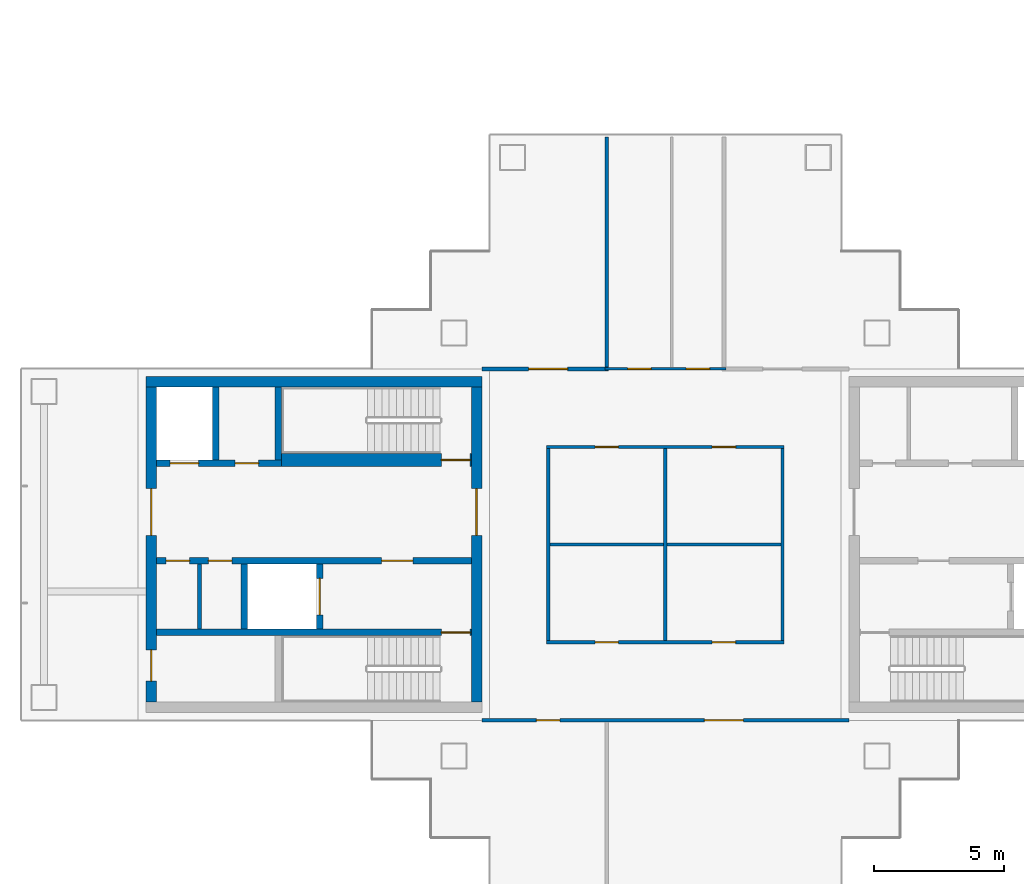
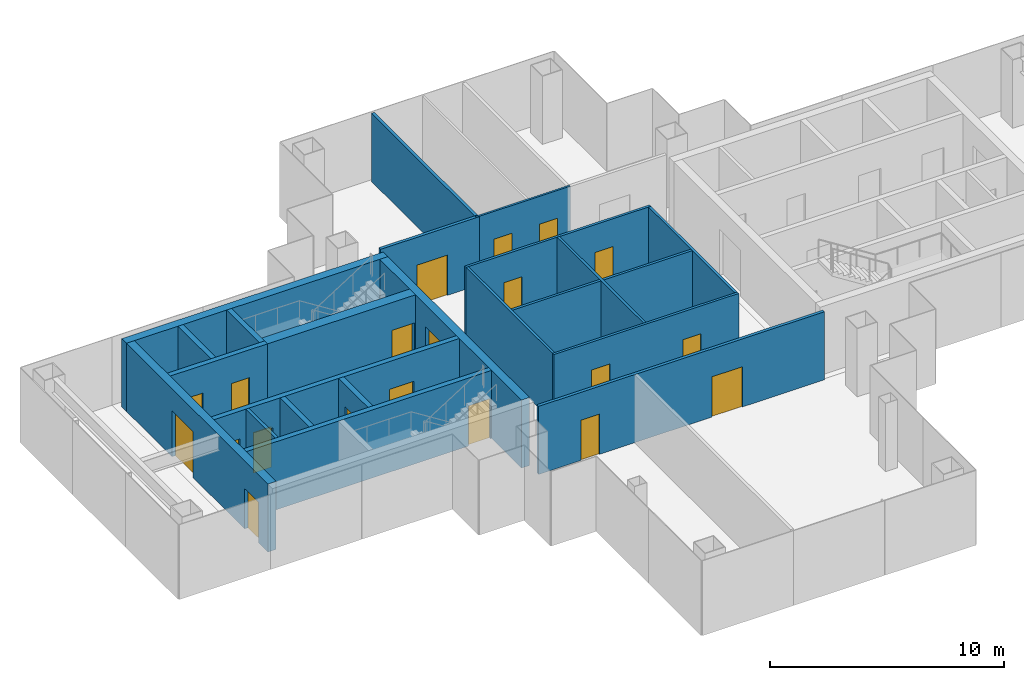
# One storey, part 9 of 16: 22 walls, 20 doors, 20 openings.
"""IFC4 building model written with IfcOpenShell, lengths in metres."""

from ifc_helpers import new_model, si_unit, direction, frame, frame_2d, origin, place, context, subcontext, project, spatial, rectangle, extrude, material, layer, layer_set, type_object, element, fill, save


model = new_model("IFC4")

# Units and contexts
model_context = context("Model", 3, precision=1e-05, world=origin(), true_north=direction((0.0, 1.0)))
body_context = subcontext(model_context, "Body", "Model", "MODEL_VIEW")
ifc_project = project(units=[si_unit("LENGTHUNIT", "METRE"), si_unit("AREAUNIT", "SQUARE_METRE"), si_unit("VOLUMEUNIT", "CUBIC_METRE"), si_unit("PLANEANGLEUNIT", "RADIAN"), si_unit("MASSUNIT", "GRAM", prefix="KILO")], contexts=[model_context])

# Site, building, storey
site_placement = place(None, origin())
site = spatial("IfcSite", under=ifc_project, at=site_placement, CompositionType="ELEMENT")
building_placement = place(site_placement, origin())
building = spatial("IfcBuilding", under=site, at=building_placement, Name="Shamsa Quay Exchange Towers", CompositionType="ELEMENT")
storey_placement = place(building_placement, frame((0.0, 0.0, 186.60009765625)))
storey = spatial("IfcBuildingStorey", under=building, at=storey_placement, Name="L44", CompositionType="ELEMENT", Elevation=186.60009765625)

# Wall
ifc_material_1 = material(Name="Concrete C60/75", Category="concrete")
ifc_layer_1 = layer(ifc_material_1, 0.39990234375)
ifc_layer_set_1 = layer_set([ifc_layer_1], Name="CORE WALL 400 C60/75")
wall_type_1 = type_object("IfcWallType", Name="CORE WALL 400 C60/75", PredefinedType="SHEAR", material=ifc_layer_set_1)
wall_1_placement = place(storey_placement, frame((-40.800048828125, 6.25, 0.0), z_axis=(0.0, 0.0, 1.0), x_axis=(-1.0, 0.0, 0.0)))
element("IfcWall", 1, at=wall_1_placement, inside=storey, type_object=wall_type_1, Name="Core wall T1B-R20-PN", PredefinedType="SHEAR", context=body_context, shape_type="SweptSolid", body=[
    extrude(rectangle(XDim=12.89990234375, YDim=0.39990234375, at=frame_2d((6.449951171875, 0.0))), origin(), (0.0, 0.0, 1.0), 3.5498046875),
])

# Wall, opening, door
wall_2_placement = place(storey_placement, frame((-41.0, -6.050048828125, 0.0), z_axis=(0.0, 0.0, 1.0), x_axis=(0.0, 1.0, 0.0)))
wall_2 = element("IfcWall", 2, at=wall_2_placement, inside=storey, type_object=wall_type_1, Name="Core wall T1B-R20-PF", PredefinedType="SHEAR", context=body_context, shape_type="SweptSolid", body=[
    extrude(rectangle(XDim=12.10009765625, YDim=0.39990234375, at=frame_2d((6.050048828125, 0.0))), origin(), (0.0, 0.0, 1.0), 3.5498046875),
])
opening_1_placement = place(wall_2_placement, frame((6.39990234375, 0.0, 0.0)))
opening_1 = element("IfcOpeningElement", 3, at=opening_1_placement, cuts=wall_2, Name="Opening T1B-R20-LBD01", PredefinedType="OPENING", context=body_context, shape_type="SweptSolid", body=[
    extrude(rectangle(XDim=1.800048828125, YDim=2.39990234375, at=frame_2d((0.89990234375, 1.199951171875))), frame((0.0, 0.2099609375, 0.0), z_axis=(0.0, -1.0, 0.0), x_axis=(1.0, 0.0, 0.0)), (0.0, 0.0, 1.0), 0.419921875),
])
ifc_material_2 = material(Name="Steel, fire rated", Category="steel")
door_type_1 = type_object("IfcDoorType", Name="LIFT LOBBY DOOR PAIR 1800", OperationType="DOUBLE_DOOR_SINGLE_SWING", PredefinedType="DOOR", material=ifc_material_2)
door_1_placement = place(opening_1_placement, origin())
door_1 = element("IfcDoor", 4, at=door_1_placement, inside=storey, type_object=door_type_1, Name="T1B-R20-LBD01", OperationType="DOUBLE_DOOR_SINGLE_SWING", OverallHeight=2.39990234375, OverallWidth=1.800048828125, PredefinedType="DOOR", context=body_context, shape_type="SweptSolid", body=[
    extrude(rectangle(XDim=1.800048828125, YDim=2.39990234375, at=frame_2d((0.89990234375, 1.199951171875))), frame((0.0, 0.02490234375, 0.0), z_axis=(0.0, -1.0, 0.0), x_axis=(1.0, 0.0, 0.0)), (0.0, 0.0, 1.0), 0.050048828125),
])
fill(opening_1, door_1)

# Wall, openings, doors
wall_3_placement = place(storey_placement, frame((-53.5, -6.050048828125, 0.0), z_axis=(0.0, 0.0, 1.0), x_axis=(0.0, 1.0, 0.0)))
wall_3 = element("IfcWall", 5, at=wall_3_placement, inside=storey, type_object=wall_type_1, Name="Core wall T1B-R20-PB", PredefinedType="SHEAR", context=body_context, shape_type="SweptSolid", body=[
    extrude(rectangle(XDim=12.10009765625, YDim=0.39990234375, at=frame_2d((6.050048828125, 0.0))), origin(), (0.0, 0.0, 1.0), 3.5498046875),
])
opening_2_placement = place(wall_3_placement, frame((0.800048828125, 0.0, 0.0)))
opening_2 = element("IfcOpeningElement", 6, at=opening_2_placement, cuts=wall_3, Name="Opening T1B-R20-RD02", PredefinedType="OPENING", context=body_context, shape_type="SweptSolid", body=[
    extrude(rectangle(XDim=1.199951171875, YDim=2.10009765625, at=frame_2d((0.60009765625, 1.050048828125))), frame((0.0, 0.2099609375, 0.0), z_axis=(0.0, -1.0, 0.0), x_axis=(1.0, 0.0, 0.0)), (0.0, 0.0, 1.0), 0.419921875),
])
opening_3_placement = place(wall_3_placement, frame((6.39990234375, 0.0, 0.0)))
opening_3 = element("IfcOpeningElement", 7, at=opening_3_placement, cuts=wall_3, Name="Opening T1B-R20-LBD03", PredefinedType="OPENING", context=body_context, shape_type="SweptSolid", body=[
    extrude(rectangle(XDim=1.800048828125, YDim=2.39990234375, at=frame_2d((0.89990234375, 1.199951171875))), frame((0.0, 0.2099609375, 0.0), z_axis=(0.0, -1.0, 0.0), x_axis=(1.0, 0.0, 0.0)), (0.0, 0.0, 1.0), 0.419921875),
])
door_2_placement = place(opening_3_placement, origin())
door_2 = element("IfcDoor", 8, at=door_2_placement, inside=storey, type_object=door_type_1, Name="T1B-R20-LBD03", OperationType="DOUBLE_DOOR_SINGLE_SWING", OverallHeight=2.39990234375, OverallWidth=1.800048828125, PredefinedType="DOOR", context=body_context, shape_type="SweptSolid", body=[
    extrude(rectangle(XDim=1.800048828125, YDim=2.39990234375, at=frame_2d((0.89990234375, 1.199951171875))), frame((0.0, 0.02490234375, 0.0), z_axis=(0.0, -1.0, 0.0), x_axis=(1.0, 0.0, 0.0)), (0.0, 0.0, 1.0), 0.050048828125),
])
fill(opening_3, door_2)
door_type_2 = type_object("IfcDoorType", Name="RISER ACCESS DOOR 1200", OperationType="SINGLE_SWING_LEFT", PredefinedType="DOOR", material=ifc_material_2)
door_3_placement = place(opening_2_placement, origin())
door_3 = element("IfcDoor", 9, at=door_3_placement, inside=storey, type_object=door_type_2, Name="T1B-R20-RD02", OperationType="SINGLE_SWING_LEFT", OverallHeight=2.10009765625, OverallWidth=1.199951171875, PredefinedType="DOOR", context=body_context, shape_type="SweptSolid", body=[
    extrude(rectangle(XDim=1.199951171875, YDim=2.10009765625, at=frame_2d((0.60009765625, 1.050048828125))), frame((0.0, 0.02490234375, 0.0), z_axis=(0.0, -1.0, 0.0), x_axis=(1.0, 0.0, 0.0)), (0.0, 0.0, 1.0), 0.050048828125),
])
fill(opening_2, door_3)

# Walls
ifc_material_3 = material(Name="Gypsum board on steel studs, EI 60", Category="steel")
ifc_layer_2 = layer(ifc_material_3, 0.14990234375)
ifc_layer_set_2 = layer_set([ifc_layer_2], Name="FIRE PARTITION 150")
wall_type_2 = type_object("IfcWallType", Name="FIRE PARTITION 150", PredefinedType="PARTITIONING", material=ifc_layer_set_2)
wall_4_placement = place(storey_placement, frame((-51.64990234375, -3.25, 0.0), z_axis=(0.0, 0.0, 1.0), x_axis=(0.0, 1.0, 0.0)))
element("IfcWall", 10, at=wall_4_placement, inside=storey, type_object=wall_type_2, Name="Partition T1B-R20-EC0", PredefinedType="PARTITIONING", context=body_context, shape_type="SweptSolid", body=[
    extrude(rectangle(XDim=2.5, YDim=0.14990234375, at=frame_2d((1.25, 0.0))), origin(), (0.0, 0.0, 1.0), 3.5498046875),
])
ifc_material_4 = material(Name="Laminated fire-resisting glass in a metal frame", Category="glass")
ifc_layer_3 = layer(ifc_material_4, 0.125)
ifc_layer_set_3 = layer_set([ifc_layer_3], Name="Glazed partition 125 mm EI 60")
wall_type_3 = type_object("IfcWallType", Name="Glazed partition 125 mm EI 60", PredefinedType="PARTITIONING", material=ifc_layer_set_3)
wall_5_placement = place(storey_placement, frame((-29.25, -3.6875, 0.0), z_axis=(0.0, 0.0, 1.0), x_axis=(0.0, 1.0, 0.0)))
element("IfcWall", 11, at=wall_5_placement, inside=storey, type_object=wall_type_3, Name="Partition T1-R20-W01", PredefinedType="PARTITIONING", context=body_context, shape_type="SweptSolid", body=[
    extrude(rectangle(XDim=7.375, YDim=0.125, at=frame_2d((3.6875, 0.0))), origin(), (0.0, 0.0, 1.0), 3.5498046875),
])

# Wall, openings, doors
wall_6_placement = place(storey_placement, frame((-29.1875, 3.75, 0.0), z_axis=(0.0, 0.0, 1.0), x_axis=(-1.0, 0.0, 0.0)))
wall_6 = element("IfcWall", 12, at=wall_6_placement, inside=storey, type_object=wall_type_3, Name="Partition T1-R20-W02", PredefinedType="PARTITIONING", context=body_context, shape_type="SweptSolid", body=[
    extrude(rectangle(XDim=9.125, YDim=0.125, at=frame_2d((4.5625, 0.0))), origin(), (0.0, 0.0, 1.0), 3.5498046875),
])
opening_4_placement = place(wall_6_placement, frame((1.862548828125, 0.0, 0.0)))
opening_4 = element("IfcOpeningElement", 13, at=opening_4_placement, cuts=wall_6, Name="Opening T1-R20-D07", PredefinedType="OPENING", context=body_context, shape_type="SweptSolid", body=[
    extrude(rectangle(XDim=0.89990234375, YDim=2.10009765625, at=frame_2d((0.449951171875, 1.050048828125))), frame((0.0, 0.072509765625, 0.0), z_axis=(0.0, -1.0, 0.0), x_axis=(1.0, 0.0, 0.0)), (0.0, 0.0, 1.0), 0.14501953125),
])
opening_5_placement = place(wall_6_placement, frame((6.362548828125, 0.0, 0.0)))
opening_5 = element("IfcOpeningElement", 14, at=opening_5_placement, cuts=wall_6, Name="Opening T1-R20-D08", PredefinedType="OPENING", context=body_context, shape_type="SweptSolid", body=[
    extrude(rectangle(XDim=0.89990234375, YDim=2.10009765625, at=frame_2d((0.449951171875, 1.050048828125))), frame((0.0, 0.072509765625, 0.0), z_axis=(0.0, -1.0, 0.0), x_axis=(1.0, 0.0, 0.0)), (0.0, 0.0, 1.0), 0.14501953125),
])
ifc_material_5 = material(Name="Timber door leaf in a metal frame", Category="wood")
door_type_3 = type_object("IfcDoorType", Name="Door 900x2100 FD30S", OperationType="NOTDEFINED", PredefinedType="DOOR", material=ifc_material_5)
door_4_placement = place(opening_4_placement, origin())
door_4 = element("IfcDoor", 15, at=door_4_placement, inside=storey, type_object=door_type_3, Name="Door T1-R20-D07", OperationType="SINGLE_SWING_LEFT", OverallHeight=2.10009765625, OverallWidth=0.89990234375, PredefinedType="DOOR", context=body_context, shape_type="SweptSolid", body=[
    extrude(rectangle(XDim=0.89990234375, YDim=2.10009765625, at=frame_2d((0.449951171875, 1.050048828125))), frame((0.0, 0.02490234375, 0.0), z_axis=(0.0, -1.0, 0.0), x_axis=(1.0, 0.0, 0.0)), (0.0, 0.0, 1.0), 0.050048828125),
])
fill(opening_4, door_4)
door_5_placement = place(opening_5_placement, origin())
door_5 = element("IfcDoor", 16, at=door_5_placement, inside=storey, type_object=door_type_3, Name="Door T1-R20-D08", OperationType="SINGLE_SWING_RIGHT", OverallHeight=2.10009765625, OverallWidth=0.89990234375, PredefinedType="DOOR", context=body_context, shape_type="SweptSolid", body=[
    extrude(rectangle(XDim=0.89990234375, YDim=2.10009765625, at=frame_2d((0.449951171875, 1.050048828125))), frame((0.0, 0.02490234375, 0.0), z_axis=(0.0, -1.0, 0.0), x_axis=(1.0, 0.0, 0.0)), (0.0, 0.0, 1.0), 0.050048828125),
])
fill(opening_5, door_5)

wall_7_placement = place(storey_placement, frame((-38.3125, -3.75, 0.0)))
wall_7 = element("IfcWall", 17, at=wall_7_placement, inside=storey, type_object=wall_type_3, Name="Partition T1-R20-W03", PredefinedType="PARTITIONING", context=body_context, shape_type="SweptSolid", body=[
    extrude(rectangle(XDim=9.125, YDim=0.125, at=frame_2d((4.5625, 0.0))), origin(), (0.0, 0.0, 1.0), 3.5498046875),
])
opening_6_placement = place(wall_7_placement, frame((1.862548828125, 0.0, 0.0)))
opening_6 = element("IfcOpeningElement", 18, at=opening_6_placement, cuts=wall_7, Name="Opening T1-R20-D02", PredefinedType="OPENING", context=body_context, shape_type="SweptSolid", body=[
    extrude(rectangle(XDim=0.89990234375, YDim=2.10009765625, at=frame_2d((0.449951171875, 1.050048828125))), frame((0.0, 0.072509765625, 0.0), z_axis=(0.0, -1.0, 0.0), x_axis=(1.0, 0.0, 0.0)), (0.0, 0.0, 1.0), 0.14501953125),
])
opening_7_placement = place(wall_7_placement, frame((6.362548828125, 0.0, 0.0)))
opening_7 = element("IfcOpeningElement", 19, at=opening_7_placement, cuts=wall_7, Name="Opening T1-R20-D03", PredefinedType="OPENING", context=body_context, shape_type="SweptSolid", body=[
    extrude(rectangle(XDim=0.89990234375, YDim=2.10009765625, at=frame_2d((0.449951171875, 1.050048828125))), frame((0.0, 0.072509765625, 0.0), z_axis=(0.0, -1.0, 0.0), x_axis=(1.0, 0.0, 0.0)), (0.0, 0.0, 1.0), 0.14501953125),
])
door_6_placement = place(opening_6_placement, origin())
door_6 = element("IfcDoor", 20, at=door_6_placement, inside=storey, type_object=door_type_3, Name="Door T1-R20-D02", OperationType="SINGLE_SWING_LEFT", OverallHeight=2.10009765625, OverallWidth=0.89990234375, PredefinedType="DOOR", context=body_context, shape_type="SweptSolid", body=[
    extrude(rectangle(XDim=0.89990234375, YDim=2.10009765625, at=frame_2d((0.449951171875, 1.050048828125))), frame((0.0, 0.02490234375, 0.0), z_axis=(0.0, -1.0, 0.0), x_axis=(1.0, 0.0, 0.0)), (0.0, 0.0, 1.0), 0.050048828125),
])
fill(opening_6, door_6)
door_7_placement = place(opening_7_placement, origin())
door_7 = element("IfcDoor", 21, at=door_7_placement, inside=storey, type_object=door_type_3, Name="Door T1-R20-D03", OperationType="SINGLE_SWING_LEFT", OverallHeight=2.10009765625, OverallWidth=0.89990234375, PredefinedType="DOOR", context=body_context, shape_type="SweptSolid", body=[
    extrude(rectangle(XDim=0.89990234375, YDim=2.10009765625, at=frame_2d((0.449951171875, 1.050048828125))), frame((0.0, 0.02490234375, 0.0), z_axis=(0.0, -1.0, 0.0), x_axis=(1.0, 0.0, 0.0)), (0.0, 0.0, 1.0), 0.050048828125),
])
fill(opening_7, door_7)

# Walls
wall_8_placement = place(storey_placement, frame((-38.25, 3.6875, 0.0), z_axis=(0.0, 0.0, 1.0), x_axis=(0.0, -1.0, 0.0)))
element("IfcWall", 22, at=wall_8_placement, inside=storey, type_object=wall_type_3, Name="Partition T1-R20-W04", PredefinedType="PARTITIONING", context=body_context, shape_type="SweptSolid", body=[
    extrude(rectangle(XDim=7.375, YDim=0.125, at=frame_2d((3.6875, 0.0))), origin(), (0.0, 0.0, 1.0), 3.5498046875),
])
wall_9_placement = place(storey_placement, frame((-38.1875, 0.0, 0.0)))
element("IfcWall", 23, at=wall_9_placement, inside=storey, type_object=wall_type_3, Name="Partition T1-R20-W09", PredefinedType="PARTITIONING", context=body_context, shape_type="SweptSolid", body=[
    extrude(rectangle(XDim=8.875, YDim=0.125, at=frame_2d((4.4375, 0.0))), origin(), (0.0, 0.0, 1.0), 3.5498046875),
])
wall_10_placement = place(storey_placement, frame((-33.75, 3.6875, 0.0), z_axis=(0.0, 0.0, 1.0), x_axis=(0.0, -1.0, 0.0)))
element("IfcWall", 24, at=wall_10_placement, inside=storey, type_object=wall_type_3, Name="Partition T1-R20-W10", PredefinedType="PARTITIONING", context=body_context, shape_type="SweptSolid", body=[
    extrude(rectangle(XDim=7.375, YDim=0.125, at=frame_2d((3.6875, 0.0))), origin(), (0.0, 0.0, 1.0), 3.5498046875),
])

# Wall, openings, doors
ifc_material_6 = material(Name="Gypsum board partition on metal studs")
ifc_layer_4 = layer(ifc_material_6, 0.10009765625)
ifc_layer_set_4 = layer_set([ifc_layer_4], Name="Partition 100 mm NOT RATED")
wall_type_4 = type_object("IfcWallType", Name="Partition 100 mm NOT RATED", PredefinedType="PARTITIONING", material=ifc_layer_set_4)
wall_11_placement = place(storey_placement, frame((-36.074951171875, 6.75, 0.0)))
wall_11 = element("IfcWall", 25, at=wall_11_placement, inside=storey, type_object=wall_type_4, Name="Partition T1-R20-W07", PredefinedType="PARTITIONING", context=body_context, shape_type="SweptSolid", body=[
    extrude(rectangle(XDim=4.64990234375, YDim=0.10009765625, at=frame_2d((2.324951171875, 0.0))), origin(), (0.0, 0.0, 1.0), 3.5498046875),
])
opening_8_placement = place(wall_11_placement, frame((0.875, 0.0, 0.0)))
opening_8 = element("IfcOpeningElement", 26, at=opening_8_placement, cuts=wall_11, Name="Opening T1-R20-D04", PredefinedType="OPENING", context=body_context, shape_type="SweptSolid", body=[
    extrude(rectangle(XDim=0.89990234375, YDim=2.10009765625, at=frame_2d((0.449951171875, 1.050048828125))), frame((0.0, 0.06005859375, 0.0), z_axis=(0.0, -1.0, 0.0), x_axis=(1.0, 0.0, 0.0)), (0.0, 0.0, 1.0), 0.1201171875),
])
opening_9_placement = place(wall_11_placement, frame((3.125, 0.0, 0.0)))
opening_9 = element("IfcOpeningElement", 27, at=opening_9_placement, cuts=wall_11, Name="Opening T1-R20-D05", PredefinedType="OPENING", context=body_context, shape_type="SweptSolid", body=[
    extrude(rectangle(XDim=0.89990234375, YDim=2.10009765625, at=frame_2d((0.449951171875, 1.050048828125))), frame((0.0, 0.06005859375, 0.0), z_axis=(0.0, -1.0, 0.0), x_axis=(1.0, 0.0, 0.0)), (0.0, 0.0, 1.0), 0.1201171875),
])
door_type_4 = type_object("IfcDoorType", Name="Door 900x2100 NOT RATED", OperationType="NOTDEFINED", PredefinedType="DOOR", material=ifc_material_5)
door_8_placement = place(opening_8_placement, origin())
door_8 = element("IfcDoor", 28, at=door_8_placement, inside=storey, type_object=door_type_4, Name="Door T1-R20-D04", OperationType="SINGLE_SWING_RIGHT", OverallHeight=2.10009765625, OverallWidth=0.89990234375, PredefinedType="DOOR", context=body_context, shape_type="SweptSolid", body=[
    extrude(rectangle(XDim=0.89990234375, YDim=2.10009765625, at=frame_2d((0.449951171875, 1.050048828125))), frame((0.0, 0.02490234375, 0.0), z_axis=(0.0, -1.0, 0.0), x_axis=(1.0, 0.0, 0.0)), (0.0, 0.0, 1.0), 0.050048828125),
])
fill(opening_8, door_8)
door_9_placement = place(opening_9_placement, origin())
door_9 = element("IfcDoor", 29, at=door_9_placement, inside=storey, type_object=door_type_4, Name="Door T1-R20-D05", OperationType="SINGLE_SWING_RIGHT", OverallHeight=2.10009765625, OverallWidth=0.89990234375, PredefinedType="DOOR", context=body_context, shape_type="SweptSolid", body=[
    extrude(rectangle(XDim=0.89990234375, YDim=2.10009765625, at=frame_2d((0.449951171875, 1.050048828125))), frame((0.0, 0.02490234375, 0.0), z_axis=(0.0, -1.0, 0.0), x_axis=(1.0, 0.0, 0.0)), (0.0, 0.0, 1.0), 0.050048828125),
])
fill(opening_9, door_9)

# Wall, opening, door
ifc_layer_5 = layer(ifc_material_6, 0.14990234375)
ifc_layer_set_5 = layer_set([ifc_layer_5], Name="Partition 150 mm EI 60")
wall_type_5 = type_object("IfcWallType", Name="Partition 150 mm EI 60", PredefinedType="PARTITIONING", material=ifc_layer_set_5)
wall_12_placement = place(storey_placement, frame((-40.800048828125, 6.75, 0.0)))
wall_12 = element("IfcWall", 30, at=wall_12_placement, inside=storey, type_object=wall_type_5, Name="Partition T1-R20-W05", PredefinedType="PARTITIONING", context=body_context, shape_type="SweptSolid", body=[
    extrude(rectangle(XDim=4.875, YDim=0.14990234375, at=frame_2d((2.4375, 0.0))), origin(), (0.0, 0.0, 1.0), 3.5498046875),
])
opening_10_placement = place(wall_12_placement, frame((1.800048828125, 0.0, 0.0)))
opening_10 = element("IfcOpeningElement", 31, at=opening_10_placement, cuts=wall_12, Name="Opening T1-R20-D01", PredefinedType="OPENING", context=body_context, shape_type="SweptSolid", body=[
    extrude(rectangle(XDim=1.5, YDim=2.10009765625, at=frame_2d((0.75, 1.050048828125))), frame((0.0, 0.0849609375, 0.0), z_axis=(0.0, -1.0, 0.0), x_axis=(1.0, 0.0, 0.0)), (0.0, 0.0, 1.0), 0.169921875),
])
door_type_5 = type_object("IfcDoorType", Name="Door 1500x2100 FD30S pair", OperationType="NOTDEFINED", PredefinedType="DOOR", material=ifc_material_5)
door_10_placement = place(opening_10_placement, origin())
door_10 = element("IfcDoor", 32, at=door_10_placement, inside=storey, type_object=door_type_5, Name="Door T1-R20-D01", OperationType="DOUBLE_DOOR_SINGLE_SWING", OverallHeight=2.10009765625, OverallWidth=1.5, PredefinedType="DOOR", context=body_context, shape_type="SweptSolid", body=[
    extrude(rectangle(XDim=1.5, YDim=2.10009765625, at=frame_2d((0.75, 1.050048828125))), frame((0.0, 0.02490234375, 0.0), z_axis=(0.0, -1.0, 0.0), x_axis=(1.0, 0.0, 0.0)), (0.0, 0.0, 1.0), 0.050048828125),
])
fill(opening_10, door_10)

# Wall, openings, doors
wall_13_placement = place(storey_placement, frame((-26.699951171875, -6.75, 0.0), z_axis=(0.0, 0.0, 1.0), x_axis=(-1.0, 0.0, 0.0)))
wall_13 = element("IfcWall", 33, at=wall_13_placement, inside=storey, type_object=wall_type_5, Name="Partition T1-R20-W08", PredefinedType="PARTITIONING", context=body_context, shape_type="SweptSolid", body=[
    extrude(rectangle(XDim=14.10009765625, YDim=0.14990234375, at=frame_2d((7.050048828125, 0.0))), origin(), (0.0, 0.0, 1.0), 3.5498046875),
])
opening_11_placement = place(wall_13_placement, frame((4.050048828125, 0.0, 0.0)))
opening_11 = element("IfcOpeningElement", 34, at=opening_11_placement, cuts=wall_13, Name="Opening T1-R20-D09", PredefinedType="OPENING", context=body_context, shape_type="SweptSolid", body=[
    extrude(rectangle(XDim=1.5, YDim=2.10009765625, at=frame_2d((0.75, 1.050048828125))), frame((0.0, 0.0849609375, 0.0), z_axis=(0.0, -1.0, 0.0), x_axis=(1.0, 0.0, 0.0)), (0.0, 0.0, 1.0), 0.169921875),
])
opening_12_placement = place(wall_13_placement, frame((11.10009765625, 0.0, 0.0)))
opening_12 = element("IfcOpeningElement", 35, at=opening_12_placement, cuts=wall_13, Name="Opening T1-R20-D10", PredefinedType="OPENING", context=body_context, shape_type="SweptSolid", body=[
    extrude(rectangle(XDim=0.89990234375, YDim=2.10009765625, at=frame_2d((0.449951171875, 1.050048828125))), frame((0.0, 0.0849609375, 0.0), z_axis=(0.0, -1.0, 0.0), x_axis=(1.0, 0.0, 0.0)), (0.0, 0.0, 1.0), 0.169921875),
])
door_11_placement = place(opening_11_placement, origin())
door_11 = element("IfcDoor", 36, at=door_11_placement, inside=storey, type_object=door_type_5, Name="Door T1-R20-D09", OperationType="DOUBLE_DOOR_SINGLE_SWING", OverallHeight=2.10009765625, OverallWidth=1.5, PredefinedType="DOOR", context=body_context, shape_type="SweptSolid", body=[
    extrude(rectangle(XDim=1.5, YDim=2.10009765625, at=frame_2d((0.75, 1.050048828125))), frame((0.0, 0.02490234375, 0.0), z_axis=(0.0, -1.0, 0.0), x_axis=(1.0, 0.0, 0.0)), (0.0, 0.0, 1.0), 0.050048828125),
])
fill(opening_11, door_11)
door_12_placement = place(opening_12_placement, origin())
door_12 = element("IfcDoor", 37, at=door_12_placement, inside=storey, type_object=door_type_3, Name="Door T1-R20-D10", OperationType="SINGLE_SWING_LEFT", OverallHeight=2.10009765625, OverallWidth=0.89990234375, PredefinedType="DOOR", context=body_context, shape_type="SweptSolid", body=[
    extrude(rectangle(XDim=0.89990234375, YDim=2.10009765625, at=frame_2d((0.449951171875, 1.050048828125))), frame((0.0, 0.02490234375, 0.0), z_axis=(0.0, -1.0, 0.0), x_axis=(1.0, 0.0, 0.0)), (0.0, 0.0, 1.0), 0.050048828125),
])
fill(opening_12, door_12)

# Wall
wall_14_placement = place(storey_placement, frame((-36.0, 6.824951171875, 0.0), z_axis=(0.0, 0.0, 1.0), x_axis=(0.0, 1.0, 0.0)))
element("IfcWall", 38, at=wall_14_placement, inside=storey, type_object=wall_type_5, Name="Partition T1-R20-W12", PredefinedType="PARTITIONING", context=body_context, shape_type="SweptSolid", body=[
    extrude(rectangle(XDim=8.830078125, YDim=0.14990234375, at=frame_2d((4.4150390625, 0.0))), origin(), (0.0, 0.0, 1.0), 3.5498046875),
])

# Wall, opening, door
ifc_material_7 = material(Name="Concrete C50/60", Category="concrete")
ifc_layer_6 = layer(ifc_material_7, 0.25)
ifc_layer_set_6 = layer_set([ifc_layer_6], Name="SHAFT WALL 250 C50/60")
wall_type_6 = type_object("IfcWallType", Name="SHAFT WALL 250 C50/60", PredefinedType="SHEAR", material=ifc_layer_set_6)
wall_15_placement = place(storey_placement, frame((-41.199951171875, -3.375, 0.0), z_axis=(0.0, 0.0, 1.0), x_axis=(-1.0, 0.0, 0.0)))
wall_15 = element("IfcWall", 39, at=wall_15_placement, inside=storey, type_object=wall_type_6, Name="Shaft wall T1B-R20-STL", PredefinedType="SHEAR", context=body_context, shape_type="SweptSolid", body=[
    extrude(rectangle(XDim=12.10009765625, YDim=0.25, at=frame_2d((6.050048828125, 0.0))), origin(), (0.0, 0.0, 1.0), 3.5498046875),
])
opening_13_placement = place(wall_15_placement, frame((0.050048828125, 0.0, 0.0)))
opening_13 = element("IfcOpeningElement", 40, at=opening_13_placement, cuts=wall_15, Name="Opening T1B-R20-SD04", PredefinedType="OPENING", context=body_context, shape_type="SweptSolid", body=[
    extrude(rectangle(XDim=1.10009765625, YDim=2.10009765625, at=frame_2d((0.550048828125, 1.050048828125))), frame((0.0, 0.135009765625, 0.0), z_axis=(0.0, -1.0, 0.0), x_axis=(1.0, 0.0, 0.0)), (0.0, 0.0, 1.0), 0.27001953125),
])
door_type_6 = type_object("IfcDoorType", Name="STAIR DOOR 1100", OperationType="SINGLE_SWING_LEFT", PredefinedType="DOOR", material=ifc_material_2)
door_13_placement = place(opening_13_placement, origin())
door_13 = element("IfcDoor", 41, at=door_13_placement, inside=storey, type_object=door_type_6, Name="T1B-R20-SD04", OperationType="SINGLE_SWING_LEFT", OverallHeight=2.10009765625, OverallWidth=1.10009765625, PredefinedType="DOOR", context=body_context, shape_type="SweptSolid", body=[
    extrude(rectangle(XDim=1.10009765625, YDim=2.10009765625, at=frame_2d((0.550048828125, 1.050048828125))), frame((0.0, 0.02490234375, 0.0), z_axis=(0.0, -1.0, 0.0), x_axis=(1.0, 0.0, 0.0)), (0.0, 0.0, 1.0), 0.050048828125),
])
fill(opening_13, door_13)

# Wall, openings, doors
wall_16_placement = place(storey_placement, frame((-41.199951171875, -0.625, 0.0), z_axis=(0.0, 0.0, 1.0), x_axis=(-1.0, 0.0, 0.0)))
wall_16 = element("IfcWall", 42, at=wall_16_placement, inside=storey, type_object=wall_type_6, Name="Shaft wall T1B-R20-B", PredefinedType="SHEAR", context=body_context, shape_type="SweptSolid", body=[
    extrude(rectangle(XDim=12.10009765625, YDim=0.25, at=frame_2d((6.050048828125, 0.0))), origin(), (0.0, 0.0, 1.0), 3.5498046875),
])
opening_14_placement = place(wall_16_placement, frame((2.25, 0.0, 0.0)))
opening_14 = element("IfcOpeningElement", 43, at=opening_14_placement, cuts=wall_16, Name="Opening T1B-R20-FD05", PredefinedType="OPENING", context=body_context, shape_type="SweptSolid", body=[
    extrude(rectangle(XDim=1.199951171875, YDim=2.10009765625, at=frame_2d((0.60009765625, 1.050048828125))), frame((0.0, 0.135009765625, 0.0), z_axis=(0.0, -1.0, 0.0), x_axis=(1.0, 0.0, 0.0)), (0.0, 0.0, 1.0), 0.27001953125),
])
opening_15_placement = place(wall_16_placement, frame((9.199951171875, 0.0, 0.0)))
opening_15 = element("IfcOpeningElement", 44, at=opening_15_placement, cuts=wall_16, Name="Opening T1B-R20-SV06", PredefinedType="OPENING", context=body_context, shape_type="SweptSolid", body=[
    extrude(rectangle(XDim=0.89990234375, YDim=2.10009765625, at=frame_2d((0.449951171875, 1.050048828125))), frame((0.0, 0.135009765625, 0.0), z_axis=(0.0, -1.0, 0.0), x_axis=(1.0, 0.0, 0.0)), (0.0, 0.0, 1.0), 0.27001953125),
])
opening_16_placement = place(wall_16_placement, frame((10.824951171875, 0.0, 0.0)))
opening_16 = element("IfcOpeningElement", 45, at=opening_16_placement, cuts=wall_16, Name="Opening T1B-R20-SV07", PredefinedType="OPENING", context=body_context, shape_type="SweptSolid", body=[
    extrude(rectangle(XDim=0.89990234375, YDim=2.10009765625, at=frame_2d((0.449951171875, 1.050048828125))), frame((0.0, 0.135009765625, 0.0), z_axis=(0.0, -1.0, 0.0), x_axis=(1.0, 0.0, 0.0)), (0.0, 0.0, 1.0), 0.27001953125),
])
door_type_7 = type_object("IfcDoorType", Name="FIRE SERVICE LOBBY DOOR 1200", OperationType="SINGLE_SWING_LEFT", PredefinedType="DOOR", material=ifc_material_2)
door_14_placement = place(opening_14_placement, origin())
door_14 = element("IfcDoor", 46, at=door_14_placement, inside=storey, type_object=door_type_7, Name="T1B-R20-FD05", OperationType="SINGLE_SWING_LEFT", OverallHeight=2.10009765625, OverallWidth=1.199951171875, PredefinedType="DOOR", context=body_context, shape_type="SweptSolid", body=[
    extrude(rectangle(XDim=1.199951171875, YDim=2.10009765625, at=frame_2d((0.60009765625, 1.050048828125))), frame((0.0, 0.02490234375, 0.0), z_axis=(0.0, -1.0, 0.0), x_axis=(1.0, 0.0, 0.0)), (0.0, 0.0, 1.0), 0.050048828125),
])
fill(opening_14, door_14)
door_type_8 = type_object("IfcDoorType", Name="SERVICE ROOM DOOR 900", OperationType="SINGLE_SWING_LEFT", PredefinedType="DOOR", material=ifc_material_2)
door_15_placement = place(opening_15_placement, origin())
door_15 = element("IfcDoor", 47, at=door_15_placement, inside=storey, type_object=door_type_8, Name="T1B-R20-SV06", OperationType="SINGLE_SWING_RIGHT", OverallHeight=2.10009765625, OverallWidth=0.89990234375, PredefinedType="DOOR", context=body_context, shape_type="SweptSolid", body=[
    extrude(rectangle(XDim=0.89990234375, YDim=2.10009765625, at=frame_2d((0.449951171875, 1.050048828125))), frame((0.0, 0.02490234375, 0.0), z_axis=(0.0, -1.0, 0.0), x_axis=(1.0, 0.0, 0.0)), (0.0, 0.0, 1.0), 0.050048828125),
])
fill(opening_15, door_15)
door_16_placement = place(opening_16_placement, origin())
door_16 = element("IfcDoor", 48, at=door_16_placement, inside=storey, type_object=door_type_8, Name="T1B-R20-SV07", OperationType="SINGLE_SWING_RIGHT", OverallHeight=2.10009765625, OverallWidth=0.89990234375, PredefinedType="DOOR", context=body_context, shape_type="SweptSolid", body=[
    extrude(rectangle(XDim=0.89990234375, YDim=2.10009765625, at=frame_2d((0.449951171875, 1.050048828125))), frame((0.0, 0.02490234375, 0.0), z_axis=(0.0, -1.0, 0.0), x_axis=(1.0, 0.0, 0.0)), (0.0, 0.0, 1.0), 0.050048828125),
])
fill(opening_16, door_16)

# Wall, opening, door
wall_17_placement = place(storey_placement, frame((-47.02490234375, -3.25, 0.0), z_axis=(0.0, 0.0, 1.0), x_axis=(0.0, 1.0, 0.0)))
wall_17 = element("IfcWall", 49, at=wall_17_placement, inside=storey, type_object=wall_type_6, Name="Shaft wall T1B-R20-FFF", PredefinedType="SHEAR", context=body_context, shape_type="SweptSolid", body=[
    extrude(rectangle(XDim=2.5, YDim=0.25, at=frame_2d((1.25, 0.0))), origin(), (0.0, 0.0, 1.0), 3.5498046875),
])
opening_17_placement = place(wall_17_placement, frame((0.550048828125, 0.0, 0.0)))
opening_17 = element("IfcOpeningElement", 50, at=opening_17_placement, cuts=wall_17, Name="Opening T1B-R20-LDG08", PredefinedType="OPENING", context=body_context, shape_type="SweptSolid", body=[
    extrude(rectangle(XDim=1.39990234375, YDim=2.39990234375, at=frame_2d((0.699951171875, 1.199951171875))), frame((0.0, 0.135009765625, 0.0), z_axis=(0.0, -1.0, 0.0), x_axis=(1.0, 0.0, 0.0)), (0.0, 0.0, 1.0), 0.27001953125),
])
door_type_9 = type_object("IfcDoorType", Name="GOODS LIFT LANDING DOOR 1400", OperationType="SLIDING_TO_LEFT", PredefinedType="DOOR", material=ifc_material_2)
door_17_placement = place(opening_17_placement, origin())
door_17 = element("IfcDoor", 51, at=door_17_placement, inside=storey, type_object=door_type_9, Name="T1B-R20-LDG08", OperationType="SLIDING_TO_LEFT", OverallHeight=2.39990234375, OverallWidth=1.39990234375, PredefinedType="DOOR", context=body_context, shape_type="SweptSolid", body=[
    extrude(rectangle(XDim=1.39990234375, YDim=2.39990234375, at=frame_2d((0.699951171875, 1.199951171875))), frame((0.0, 0.02490234375, 0.0), z_axis=(0.0, -1.0, 0.0), x_axis=(1.0, 0.0, 0.0)), (0.0, 0.0, 1.0), 0.050048828125),
])
fill(opening_17, door_17)

# Wall
wall_18_placement = place(storey_placement, frame((-49.925048828125, -3.25, 0.0), z_axis=(0.0, 0.0, 1.0), x_axis=(0.0, 1.0, 0.0)))
element("IfcWall", 52, at=wall_18_placement, inside=storey, type_object=wall_type_6, Name="Shaft wall T1B-R20-FFB", PredefinedType="SHEAR", context=body_context, shape_type="SweptSolid", body=[
    extrude(rectangle(XDim=2.5, YDim=0.25, at=frame_2d((1.25, 0.0))), origin(), (0.0, 0.0, 1.0), 3.5498046875),
])

# Wall, openings, doors
wall_19_placement = place(storey_placement, frame((-53.300048828125, 3.125, 0.0)))
wall_19 = element("IfcWall", 53, at=wall_19_placement, inside=storey, type_object=wall_type_6, Name="Shaft wall T1B-R20-N2", PredefinedType="SHEAR", context=body_context, shape_type="SweptSolid", body=[
    extrude(rectangle(XDim=4.800048828125, YDim=0.25, at=frame_2d((2.39990234375, 0.0))), origin(), (0.0, 0.0, 1.0), 3.5498046875),
])
opening_18_placement = place(wall_19_placement, frame((0.52490234375, 0.0, 0.0)))
opening_18 = element("IfcOpeningElement", 54, at=opening_18_placement, cuts=wall_19, Name="Opening T1B-R20-LD10", PredefinedType="OPENING", context=body_context, shape_type="SweptSolid", body=[
    extrude(rectangle(XDim=1.10009765625, YDim=2.10009765625, at=frame_2d((0.550048828125, 1.050048828125))), frame((0.0, 0.135009765625, 0.0), z_axis=(0.0, -1.0, 0.0), x_axis=(1.0, 0.0, 0.0)), (0.0, 0.0, 1.0), 0.27001953125),
])
opening_19_placement = place(wall_19_placement, frame((3.02490234375, 0.0, 0.0)))
opening_19 = element("IfcOpeningElement", 55, at=opening_19_placement, cuts=wall_19, Name="Opening T1B-R20-SV11", PredefinedType="OPENING", context=body_context, shape_type="SweptSolid", body=[
    extrude(rectangle(XDim=0.89990234375, YDim=2.10009765625, at=frame_2d((0.449951171875, 1.050048828125))), frame((0.0, 0.135009765625, 0.0), z_axis=(0.0, -1.0, 0.0), x_axis=(1.0, 0.0, 0.0)), (0.0, 0.0, 1.0), 0.27001953125),
])
door_type_10 = type_object("IfcDoorType", Name="LANDING DOOR 1100", OperationType="SLIDING_TO_LEFT", PredefinedType="DOOR", material=ifc_material_2)
door_18_placement = place(opening_18_placement, origin())
door_18 = element("IfcDoor", 56, at=door_18_placement, inside=storey, type_object=door_type_10, Name="T1B-R20-LD10", OperationType="SLIDING_TO_LEFT", OverallHeight=2.10009765625, OverallWidth=1.10009765625, PredefinedType="DOOR", context=body_context, shape_type="SweptSolid", body=[
    extrude(rectangle(XDim=1.10009765625, YDim=2.10009765625, at=frame_2d((0.550048828125, 1.050048828125))), frame((0.0, 0.02490234375, 0.0), z_axis=(0.0, -1.0, 0.0), x_axis=(1.0, 0.0, 0.0)), (0.0, 0.0, 1.0), 0.050048828125),
])
fill(opening_18, door_18)
door_19_placement = place(opening_19_placement, origin())
door_19 = element("IfcDoor", 57, at=door_19_placement, inside=storey, type_object=door_type_8, Name="T1B-R20-SV11", OperationType="SINGLE_SWING_RIGHT", OverallHeight=2.10009765625, OverallWidth=0.89990234375, PredefinedType="DOOR", context=body_context, shape_type="SweptSolid", body=[
    extrude(rectangle(XDim=0.89990234375, YDim=2.10009765625, at=frame_2d((0.449951171875, 1.050048828125))), frame((0.0, 0.02490234375, 0.0), z_axis=(0.0, -1.0, 0.0), x_axis=(1.0, 0.0, 0.0)), (0.0, 0.0, 1.0), 0.050048828125),
])
fill(opening_19, door_19)

# Walls
for number, where, z_axis, x_axis, name in (
    (58, (-48.625, 3.25, 0.0), (0.0, 0.0, 1.0), (0.0, 1.0, 0.0), "Shaft wall T1B-R20-STF2"),
    (59, (-51.02490234375, 3.25, 0.0), (0.0, 0.0, 1.0), (0.0, 1.0, 0.0), "Shaft wall T1B-R20-D0"),
):
    element("IfcWall", number, at=place(storey_placement, frame(where, z_axis=z_axis, x_axis=x_axis)), inside=storey, type_object=wall_type_6, Name=name, PredefinedType="SHEAR", context=body_context, shape_type="SweptSolid", body=[
        extrude(rectangle(XDim=2.800048828125, YDim=0.25, at=frame_2d((1.39990234375, 0.0))), origin(), (0.0, 0.0, 1.0), 3.5498046875),
    ])

# Wall, opening, door
ifc_layer_7 = layer(ifc_material_7, 0.5)
ifc_layer_set_7 = layer_set([ifc_layer_7], Name="SHAFT WALL 500 C50/60")
wall_type_7 = type_object("IfcWallType", Name="SHAFT WALL 500 C50/60", PredefinedType="SHEAR", material=ifc_layer_set_7)
wall_20_placement = place(storey_placement, frame((-48.5, 3.25, 0.0)))
wall_20 = element("IfcWall", 60, at=wall_20_placement, inside=storey, type_object=wall_type_7, Name="Shaft wall T1B-R20-N", PredefinedType="SHEAR", context=body_context, shape_type="SweptSolid", body=[
    extrude(rectangle(XDim=7.300048828125, YDim=0.5, at=frame_2d((3.64990234375, 0.0))), origin(), (0.0, 0.0, 1.0), 3.5498046875),
])
opening_20_placement = place(wall_20_placement, frame((6.14990234375, 0.0, 0.0)))
opening_20 = element("IfcOpeningElement", 61, at=opening_20_placement, cuts=wall_20, Name="Opening T1B-R20-SD09", PredefinedType="OPENING", context=body_context, shape_type="SweptSolid", body=[
    extrude(rectangle(XDim=1.10009765625, YDim=2.10009765625, at=frame_2d((0.550048828125, 1.050048828125))), frame((0.0, 0.260009765625, 0.0), z_axis=(0.0, -1.0, 0.0), x_axis=(1.0, 0.0, 0.0)), (0.0, 0.0, 1.0), 0.52001953125),
])
door_20_placement = place(opening_20_placement, origin())
door_20 = element("IfcDoor", 62, at=door_20_placement, inside=storey, type_object=door_type_6, Name="T1B-R20-SD09", OperationType="SINGLE_SWING_RIGHT", OverallHeight=2.10009765625, OverallWidth=1.10009765625, PredefinedType="DOOR", context=body_context, shape_type="SweptSolid", body=[
    extrude(rectangle(XDim=1.10009765625, YDim=2.10009765625, at=frame_2d((0.550048828125, 1.050048828125))), frame((0.0, 0.02490234375, 0.0), z_axis=(0.0, -1.0, 0.0), x_axis=(1.0, 0.0, 0.0)), (0.0, 0.0, 1.0), 0.050048828125),
])
fill(opening_20, door_20)

save(model, "model.ifc")
